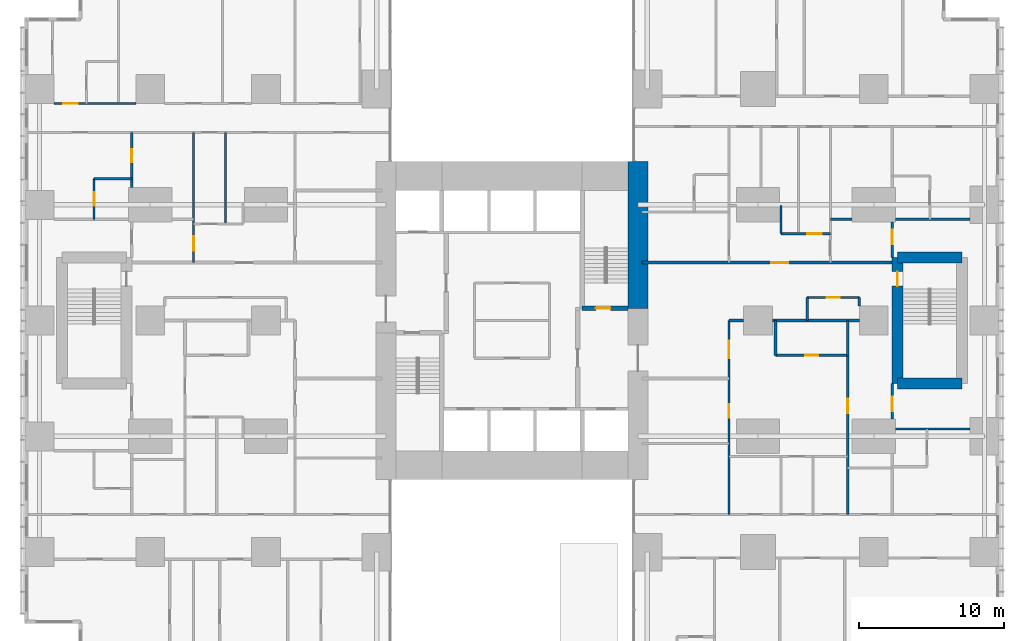
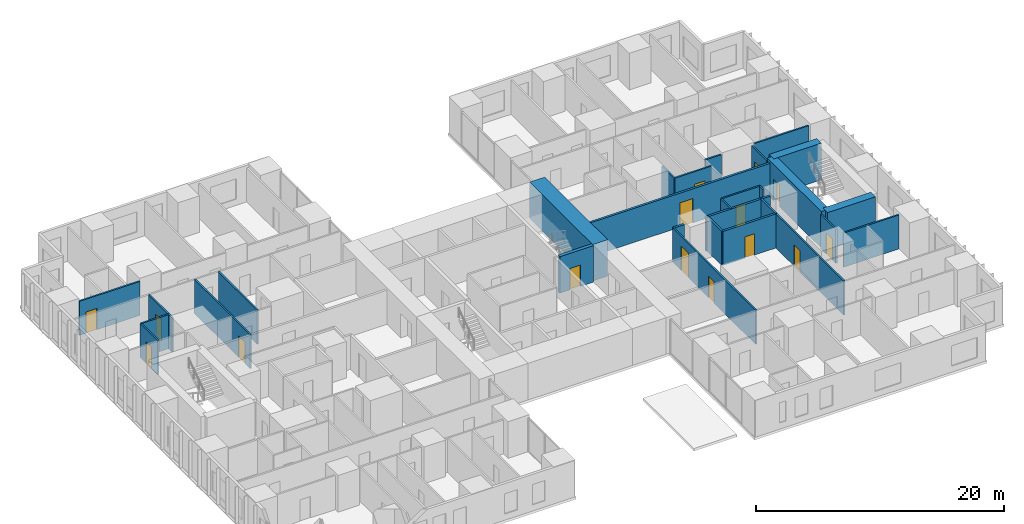
# One storey, part 18 of 22: 29 walls, 15 doors, 15 openings.
"""IFC4 building model written with IfcOpenShell, lengths in metres."""

from ifc_helpers import new_model, si_unit, direction, frame, frame_2d, origin, place, context, subcontext, project, spatial, rectangle, extrude, material, layer, layer_set, type_object, element, fill, save


model = new_model("IFC4")

# Units and contexts
model_context = context("Model", 3, precision=1e-05, world=origin(), true_north=direction((0.0, 1.0)))
body_context = subcontext(model_context, "Body", "Model", "MODEL_VIEW")
ifc_project = project(units=[si_unit("LENGTHUNIT", "METRE"), si_unit("AREAUNIT", "SQUARE_METRE"), si_unit("VOLUMEUNIT", "CUBIC_METRE"), si_unit("PLANEANGLEUNIT", "RADIAN"), si_unit("MASSUNIT", "GRAM", prefix="KILO")], contexts=[model_context])

# Site, building, storey
site_placement = place(None, origin())
site = spatial("IfcSite", under=ifc_project, at=site_placement, CompositionType="ELEMENT")
building_placement = place(site_placement, origin())
building = spatial("IfcBuilding", under=site, at=building_placement, Name="Cleftline Residences", CompositionType="ELEMENT")
storey_placement = place(building_placement, frame((0.0, 0.0, 29.60009765625)))
storey = spatial("IfcBuildingStorey", under=building, at=storey_placement, Name="L06", CompositionType="ELEMENT", Elevation=29.60009765625)

# Wall
ifc_material_1 = material(Name="Concrete B70", Category="concrete")
ifc_layer_1 = layer(ifc_material_1, 1.39990234375)
ifc_layer_set_1 = layer_set([ifc_layer_1], Name="CORE WALL 1400")
wall_type_1 = type_object("IfcWallType", Name="CORE WALL 1400", PredefinedType="SHEAR", material=ifc_layer_set_1)
wall_1_placement = place(storey_placement, frame((41.699951171875, 24.85009765625, 0.0), z_axis=(0.0, 0.0, 1.0), x_axis=(0.0, 1.0, 0.0)))
element("IfcWall", 1, at=wall_1_placement, inside=storey, type_object=wall_type_1, Name="Core wall E1", PredefinedType="SHEAR", context=body_context, shape_type="SweptSolid", body=[
    extrude(rectangle(XDim=10.14990234375, YDim=1.39990234375, at=frame_2d((5.074951171875, 0.0))), origin(), (0.0, 0.0, 1.0), 3.599853515625),
])

# Wall, opening, door
ifc_material_2 = material(Name="Concrete B70", Category="concrete")
ifc_layer_2 = layer(ifc_material_2, 0.300048828125)
ifc_layer_set_2 = layer_set([ifc_layer_2], Name="CORE WALL 300")
wall_type_2 = type_object("IfcWallType", Name="CORE WALL 300", PredefinedType="SHEAR", material=ifc_layer_set_2)
wall_2_placement = place(storey_placement, frame((37.85009765625, 24.85009765625, 0.0), z_axis=(0.0, 0.0, 1.0), x_axis=(1.0, 0.0, 0.0)))
wall_2 = element("IfcWall", 2, at=wall_2_placement, inside=storey, type_object=wall_type_2, Name="Core wall SB-S", PredefinedType="SHEAR", context=body_context, shape_type="SweptSolid", body=[
    extrude(rectangle(XDim=3.14990234375, YDim=0.300048828125, at=frame_2d((1.574951171875, 0.0))), origin(), (0.0, 0.0, 1.0), 3.599853515625),
])
opening_1_placement = place(wall_2_placement, frame((0.949951171875, 0.0, 0.0)))
opening_1 = element("IfcOpeningElement", 3, at=opening_1_placement, cuts=wall_2, Name="Opening D5", PredefinedType="OPENING", context=body_context, shape_type="SweptSolid", body=[
    extrude(rectangle(XDim=1.0, YDim=2.10009765625, at=frame_2d((0.5, 1.050048828125))), frame((0.0, 0.159912109375, 0.0), z_axis=(0.0, -1.0, 0.0), x_axis=(1.0, 0.0, 0.0)), (0.0, 0.0, 1.0), 0.320068359375),
])
ifc_material_3 = material(Name="Steel", Category="steel")
door_type_1 = type_object("IfcDoorType", Name="STAIR DOOR 1000X2100", OperationType="SINGLE_SWING_LEFT", PredefinedType="DOOR", material=ifc_material_3)
door_1_placement = place(opening_1_placement, origin())
door_1 = element("IfcDoor", 4, at=door_1_placement, inside=storey, type_object=door_type_1, Name="Stair B door", OperationType="SINGLE_SWING_RIGHT", OverallHeight=2.10009765625, OverallWidth=1.0, PredefinedType="DOOR", context=body_context, shape_type="SweptSolid", body=[
    extrude(rectangle(XDim=1.0, YDim=2.10009765625, at=frame_2d((0.5, 1.050048828125))), frame((0.0, 0.02490234375, 0.0), z_axis=(0.0, -1.0, 0.0), x_axis=(1.0, 0.0, 0.0)), (0.0, 0.0, 1.0), 0.050048828125),
])
fill(opening_1, door_1)

ifc_material_4 = material(Name="Concrete blockwork, fire rated", Category="masonry")
ifc_layer_3 = layer(ifc_material_4, 0.199951171875)
ifc_layer_set_3 = layer_set([ifc_layer_3], Name="FIRE WALL 200")
wall_type_3 = type_object("IfcWallType", Name="FIRE WALL 200", PredefinedType="PARTITIONING", material=ifc_layer_set_3)
wall_3_placement = place(storey_placement, frame((51.199951171875, 21.60009765625, 0.0), z_axis=(0.0, 0.0, 1.0), x_axis=(1.0, 0.0, 0.0)))
wall_3 = element("IfcWall", 5, at=wall_3_placement, inside=storey, type_object=wall_type_3, Name="Fire separating wall", PredefinedType="PARTITIONING", context=body_context, shape_type="SweptSolid", body=[
    extrude(rectangle(XDim=5.0, YDim=0.199951171875, at=frame_2d((2.5, 0.0))), origin(), (0.0, 0.0, 1.0), 3.349853515625),
])
opening_2_placement = place(wall_3_placement, frame((2.050048828125, 0.0, 0.0)))
opening_2 = element("IfcOpeningElement", 6, at=opening_2_placement, cuts=wall_3, Name="Opening D1F30", PredefinedType="OPENING", context=body_context, shape_type="SweptSolid", body=[
    extrude(rectangle(XDim=0.89990234375, YDim=2.10009765625, at=frame_2d((0.449951171875, 1.050048828125))), frame((0.0, 0.10986328125, 0.0), z_axis=(0.0, -1.0, 0.0), x_axis=(1.0, 0.0, 0.0)), (0.0, 0.0, 1.0), 0.219970703125),
])
ifc_material_5 = material(Name="Timber veneer on solid core", Category="wood")
door_type_2 = type_object("IfcDoorType", Name="DOOR 900X2100 EI 30", OperationType="SINGLE_SWING_LEFT", PredefinedType="DOOR", material=ifc_material_5)
door_2_placement = place(opening_2_placement, origin())
door_2 = element("IfcDoor", 7, at=door_2_placement, inside=storey, type_object=door_type_2, Name="Door to cloakroom wc", OperationType="SINGLE_SWING_LEFT", OverallHeight=2.10009765625, OverallWidth=0.89990234375, PredefinedType="DOOR", context=body_context, shape_type="SweptSolid", body=[
    extrude(rectangle(XDim=0.89990234375, YDim=2.10009765625, at=frame_2d((0.449951171875, 1.050048828125))), frame((0.0, 0.02490234375, 0.0), z_axis=(0.0, -1.0, 0.0), x_axis=(1.0, 0.0, 0.0)), (0.0, 0.0, 1.0), 0.050048828125),
])
fill(opening_2, door_2)

# Walls
wall_4_placement = place(storey_placement, frame((48.0, 24.0, 0.0), z_axis=(0.0, 0.0, 1.0), x_axis=(1.0, 0.0, 0.0)))
element("IfcWall", 8, at=wall_4_placement, inside=storey, type_object=wall_type_3, Name="Fire separating wall", PredefinedType="PARTITIONING", context=body_context, shape_type="SweptSolid", body=[
    extrude(rectangle(XDim=1.0, YDim=0.199951171875, at=frame_2d((0.5, 0.0))), origin(), (0.0, 0.0, 1.0), 3.349853515625),
])
wall_5_placement = place(storey_placement, frame((51.0, 24.0, 0.0), z_axis=(0.0, 0.0, 1.0), x_axis=(1.0, 0.0, 0.0)))
element("IfcWall", 9, at=wall_5_placement, inside=storey, type_object=wall_type_3, Name="Fire separating wall", PredefinedType="PARTITIONING", context=body_context, shape_type="SweptSolid", body=[
    extrude(rectangle(XDim=6.0, YDim=0.199951171875, at=frame_2d((3.0, 0.0))), origin(), (0.0, 0.0, 1.0), 3.349853515625),
])

# Wall, opening, door
wall_6_placement = place(storey_placement, frame((42.0, 28.0, 0.0), z_axis=(0.0, 0.0, 1.0), x_axis=(1.0, 0.0, 0.0)))
wall_6 = element("IfcWall", 10, at=wall_6_placement, inside=storey, type_object=wall_type_3, Name="Fire separating wall", PredefinedType="PARTITIONING", context=body_context, shape_type="SweptSolid", body=[
    extrude(rectangle(XDim=17.27490234375, YDim=0.199951171875, at=frame_2d((8.637451171875, 0.0))), origin(), (0.0, 0.0, 1.0), 3.349853515625),
])
opening_3_placement = place(wall_6_placement, frame((8.89990234375, 0.0, 0.0)))
opening_3 = element("IfcOpeningElement", 11, at=opening_3_placement, cuts=wall_6, Name="Opening D4", PredefinedType="OPENING", context=body_context, shape_type="SweptSolid", body=[
    extrude(rectangle(XDim=1.199951171875, YDim=2.39990234375, at=frame_2d((0.60009765625, 1.199951171875))), frame((0.0, 0.10986328125, 0.0), z_axis=(0.0, -1.0, 0.0), x_axis=(1.0, 0.0, 0.0)), (0.0, 0.0, 1.0), 0.219970703125),
])
ifc_material_6 = material(Name="Timber veneer on solid core", Category="wood")
door_type_3 = type_object("IfcDoorType", Name="APARTMENT ENTRANCE DOOR 1200X2400", OperationType="SINGLE_SWING_RIGHT", PredefinedType="DOOR", material=ifc_material_6)
door_3_placement = place(opening_3_placement, origin())
door_3 = element("IfcDoor", 12, at=door_3_placement, inside=storey, type_object=door_type_3, Name="Door to residence entrance foyer", OperationType="SINGLE_SWING_LEFT", OverallHeight=2.39990234375, OverallWidth=1.199951171875, PredefinedType="DOOR", context=body_context, shape_type="SweptSolid", body=[
    extrude(rectangle(XDim=1.199951171875, YDim=2.39990234375, at=frame_2d((0.60009765625, 1.199951171875))), frame((0.0, 0.02490234375, 0.0), z_axis=(0.0, -1.0, 0.0), x_axis=(1.0, 0.0, 0.0)), (0.0, 0.0, 1.0), 0.050048828125),
])
fill(opening_3, door_3)

# Walls
for number, where, z_axis, x_axis, name in (
    (13, (51.199951171875, 21.60009765625, 0.0), (0.0, 0.0, 1.0), (0.0, 1.0, 0.0), "Fire separating wall"),
    (14, (56.199951171875, 21.60009765625, 0.0), (0.0, 0.0, 1.0), (0.0, 1.0, 0.0), "Fire separating wall"),
):
    element("IfcWall", number, at=place(storey_placement, frame(where, z_axis=z_axis, x_axis=x_axis)), inside=storey, type_object=wall_type_3, Name=name, PredefinedType="PARTITIONING", context=body_context, shape_type="SweptSolid", body=[
        extrude(rectangle(XDim=2.39990234375, YDim=0.199951171875, at=frame_2d((1.199951171875, 0.0))), origin(), (0.0, 0.0, 1.0), 3.349853515625),
    ])
ifc_material_7 = material(Name="Gypsum board on steel studs", Category="steel")
ifc_layer_4 = layer(ifc_material_7, 0.14990234375)
ifc_layer_set_4 = layer_set([ifc_layer_4], Name="PARTITION 150")
wall_type_4 = type_object("IfcWallType", Name="PARTITION 150", PredefinedType="PARTITIONING", material=ifc_layer_set_4)
wall_7_placement = place(storey_placement, frame((59.5, 16.5, 0.0), z_axis=(0.0, 0.0, 1.0), x_axis=(1.0, 0.0, 0.0)))
element("IfcWall", 15, at=wall_7_placement, inside=storey, type_object=wall_type_4, Name="Partition", PredefinedType="PARTITIONING", context=body_context, shape_type="SweptSolid", body=[
    extrude(rectangle(XDim=5.14990234375, YDim=0.14990234375, at=frame_2d((2.574951171875, 0.0))), origin(), (0.0, 0.0, 1.0), 3.349853515625),
])

# Wall, opening, door
wall_8_placement = place(storey_placement, frame((53.39990234375, 25.60009765625, 0.0), z_axis=(0.0, 0.0, 1.0), x_axis=(1.0, 0.0, 0.0)))
wall_8 = element("IfcWall", 16, at=wall_8_placement, inside=storey, type_object=wall_type_4, Name="Partition", PredefinedType="PARTITIONING", context=body_context, shape_type="SweptSolid", body=[
    extrude(rectangle(XDim=3.60009765625, YDim=0.14990234375, at=frame_2d((1.800048828125, 0.0))), origin(), (0.0, 0.0, 1.0), 3.349853515625),
])
opening_4_placement = place(wall_8_placement, frame((1.35009765625, 0.0, 0.0)))
opening_4 = element("IfcOpeningElement", 17, at=opening_4_placement, cuts=wall_8, Name="Opening D1", PredefinedType="OPENING", context=body_context, shape_type="SweptSolid", body=[
    extrude(rectangle(XDim=0.89990234375, YDim=2.10009765625, at=frame_2d((0.449951171875, 1.050048828125))), frame((0.0, 0.0849609375, 0.0), z_axis=(0.0, -1.0, 0.0), x_axis=(1.0, 0.0, 0.0)), (0.0, 0.0, 1.0), 0.169921875),
])
ifc_material_8 = material(Name="Timber veneer on solid core", Category="wood")
door_type_4 = type_object("IfcDoorType", Name="DOOR 900X2100", OperationType="SINGLE_SWING_LEFT", PredefinedType="DOOR", material=ifc_material_8)
door_4_placement = place(opening_4_placement, origin())
door_4 = element("IfcDoor", 18, at=door_4_placement, inside=storey, type_object=door_type_4, Name="Door to residents' storage room", OperationType="SINGLE_SWING_LEFT", OverallHeight=2.10009765625, OverallWidth=0.89990234375, PredefinedType="DOOR", context=body_context, shape_type="SweptSolid", body=[
    extrude(rectangle(XDim=0.89990234375, YDim=2.10009765625, at=frame_2d((0.449951171875, 1.050048828125))), frame((0.0, 0.02490234375, 0.0), z_axis=(0.0, -1.0, 0.0), x_axis=(1.0, 0.0, 0.0)), (0.0, 0.0, 1.0), 0.050048828125),
])
fill(opening_4, door_4)

wall_9_placement = place(storey_placement, frame((51.60009765625, 30.0, 0.0), z_axis=(0.0, 0.0, 1.0), x_axis=(1.0, 0.0, 0.0)))
wall_9 = element("IfcWall", 19, at=wall_9_placement, inside=storey, type_object=wall_type_4, Name="Partition", PredefinedType="PARTITIONING", context=body_context, shape_type="SweptSolid", body=[
    extrude(rectangle(XDim=3.39990234375, YDim=0.14990234375, at=frame_2d((1.699951171875, 0.0))), origin(), (0.0, 0.0, 1.0), 3.349853515625),
])
opening_5_placement = place(wall_9_placement, frame((1.800048828125, 0.0, 0.0)))
opening_5 = element("IfcOpeningElement", 20, at=opening_5_placement, cuts=wall_9, Name="Opening D2", PredefinedType="OPENING", context=body_context, shape_type="SweptSolid", body=[
    extrude(rectangle(XDim=1.0, YDim=2.10009765625, at=frame_2d((0.5, 1.050048828125))), frame((0.0, 0.0849609375, 0.0), z_axis=(0.0, -1.0, 0.0), x_axis=(1.0, 0.0, 0.0)), (0.0, 0.0, 1.0), 0.169921875),
])
ifc_material_9 = material(Name="Timber veneer on solid core", Category="wood")
door_type_5 = type_object("IfcDoorType", Name="DOOR 1000X2100", OperationType="SINGLE_SWING_LEFT", PredefinedType="DOOR", material=ifc_material_9)
door_5_placement = place(opening_5_placement, origin())
door_5 = element("IfcDoor", 21, at=door_5_placement, inside=storey, type_object=door_type_5, Name="Door to residence passage", OperationType="SINGLE_SWING_LEFT", OverallHeight=2.10009765625, OverallWidth=1.0, PredefinedType="DOOR", context=body_context, shape_type="SweptSolid", body=[
    extrude(rectangle(XDim=1.0, YDim=2.10009765625, at=frame_2d((0.5, 1.050048828125))), frame((0.0, 0.02490234375, 0.0), z_axis=(0.0, -1.0, 0.0), x_axis=(1.0, 0.0, 0.0)), (0.0, 0.0, 1.0), 0.050048828125),
])
fill(opening_5, door_5)

# Walls
wall_10_placement = place(storey_placement, frame((55.0, 31.0, 0.0), z_axis=(0.0, 0.0, 1.0), x_axis=(1.0, 0.0, 0.0)))
element("IfcWall", 22, at=wall_10_placement, inside=storey, type_object=wall_type_4, Name="Partition", PredefinedType="PARTITIONING", context=body_context, shape_type="SweptSolid", body=[
    extrude(rectangle(XDim=1.5, YDim=0.14990234375, at=frame_2d((0.75, 0.0))), origin(), (0.0, 0.0, 1.0), 3.349853515625),
])
wall_11_placement = place(storey_placement, frame((59.5, 31.0, 0.0), z_axis=(0.0, 0.0, 1.0), x_axis=(1.0, 0.0, 0.0)))
element("IfcWall", 23, at=wall_11_placement, inside=storey, type_object=wall_type_4, Name="Partition", PredefinedType="PARTITIONING", context=body_context, shape_type="SweptSolid", body=[
    extrude(rectangle(XDim=5.14990234375, YDim=0.14990234375, at=frame_2d((2.574951171875, 0.0))), origin(), (0.0, 0.0, 1.0), 3.349853515625),
])
wall_12_placement = place(storey_placement, frame((4.125, 33.800048828125, 0.0), z_axis=(0.0, 0.0, 1.0), x_axis=(1.0, 0.0, 0.0)))
element("IfcWall", 24, at=wall_12_placement, inside=storey, type_object=wall_type_4, Name="Partition", PredefinedType="PARTITIONING", context=body_context, shape_type="SweptSolid", body=[
    extrude(rectangle(XDim=2.60009765625, YDim=0.14990234375, at=frame_2d((1.300048828125, 0.0))), origin(), (0.0, 0.0, 1.0), 3.349853515625),
])

# Wall, opening, door
wall_13_placement = place(storey_placement, frame((1.35009765625, 39.0, 0.0), z_axis=(0.0, 0.0, 1.0), x_axis=(1.0, 0.0, 0.0)))
wall_13 = element("IfcWall", 25, at=wall_13_placement, inside=storey, type_object=wall_type_4, Name="Partition", PredefinedType="PARTITIONING", context=body_context, shape_type="SweptSolid", body=[
    extrude(rectangle(XDim=5.64990234375, YDim=0.14990234375, at=frame_2d((2.824951171875, 0.0))), origin(), (0.0, 0.0, 1.0), 3.349853515625),
])
opening_6_placement = place(wall_13_placement, frame((0.625, 0.0, 0.0)))
opening_6 = element("IfcOpeningElement", 26, at=opening_6_placement, cuts=wall_13, Name="Opening D2", PredefinedType="OPENING", context=body_context, shape_type="SweptSolid", body=[
    extrude(rectangle(XDim=1.0, YDim=2.10009765625, at=frame_2d((0.5, 1.050048828125))), frame((0.0, 0.0849609375, 0.0), z_axis=(0.0, -1.0, 0.0), x_axis=(1.0, 0.0, 0.0)), (0.0, 0.0, 1.0), 0.169921875),
])
door_6_placement = place(opening_6_placement, origin())
door_6 = element("IfcDoor", 27, at=door_6_placement, inside=storey, type_object=door_type_5, Name="Door to bedroom 2", OperationType="SINGLE_SWING_RIGHT", OverallHeight=2.10009765625, OverallWidth=1.0, PredefinedType="DOOR", context=body_context, shape_type="SweptSolid", body=[
    extrude(rectangle(XDim=1.0, YDim=2.10009765625, at=frame_2d((0.5, 1.050048828125))), frame((0.0, 0.02490234375, 0.0), z_axis=(0.0, -1.0, 0.0), x_axis=(1.0, 0.0, 0.0)), (0.0, 0.0, 1.0), 0.050048828125),
])
fill(opening_6, door_6)

wall_14_placement = place(storey_placement, frame((4.125, 31.0, 0.0), z_axis=(0.0, 0.0, 1.0), x_axis=(0.0, 1.0, 0.0)))
wall_14 = element("IfcWall", 28, at=wall_14_placement, inside=storey, type_object=wall_type_4, Name="Partition", PredefinedType="PARTITIONING", context=body_context, shape_type="SweptSolid", body=[
    extrude(rectangle(XDim=2.800048828125, YDim=0.14990234375, at=frame_2d((1.39990234375, 0.0))), origin(), (0.0, 0.0, 1.0), 3.349853515625),
])
opening_7_placement = place(wall_14_placement, frame((0.949951171875, 0.0, 0.0)))
opening_7 = element("IfcOpeningElement", 29, at=opening_7_placement, cuts=wall_14, Name="Opening D1", PredefinedType="OPENING", context=body_context, shape_type="SweptSolid", body=[
    extrude(rectangle(XDim=0.89990234375, YDim=2.10009765625, at=frame_2d((0.449951171875, 1.050048828125))), frame((0.0, 0.0849609375, 0.0), z_axis=(0.0, -1.0, 0.0), x_axis=(1.0, 0.0, 0.0)), (0.0, 0.0, 1.0), 0.169921875),
])
door_7_placement = place(opening_7_placement, origin())
door_7 = element("IfcDoor", 30, at=door_7_placement, inside=storey, type_object=door_type_4, Name="Door to master bathroom", OperationType="SINGLE_SWING_LEFT", OverallHeight=2.10009765625, OverallWidth=0.89990234375, PredefinedType="DOOR", context=body_context, shape_type="SweptSolid", body=[
    extrude(rectangle(XDim=0.89990234375, YDim=2.10009765625, at=frame_2d((0.449951171875, 1.050048828125))), frame((0.0, 0.02490234375, 0.0), z_axis=(0.0, -1.0, 0.0), x_axis=(1.0, 0.0, 0.0)), (0.0, 0.0, 1.0), 0.050048828125),
])
fill(opening_7, door_7)

wall_15_placement = place(storey_placement, frame((6.72509765625, 33.199951171875, 0.0), z_axis=(0.0, 0.0, 1.0), x_axis=(0.0, 1.0, 0.0)))
wall_15 = element("IfcWall", 31, at=wall_15_placement, inside=storey, type_object=wall_type_4, Name="Partition", PredefinedType="PARTITIONING", context=body_context, shape_type="SweptSolid", body=[
    extrude(rectangle(XDim=3.800048828125, YDim=0.14990234375, at=frame_2d((1.89990234375, 0.0))), origin(), (0.0, 0.0, 1.0), 3.349853515625),
])
opening_8_placement = place(wall_15_placement, frame((1.75, 0.0, 0.0)))
opening_8 = element("IfcOpeningElement", 32, at=opening_8_placement, cuts=wall_15, Name="Opening D1", PredefinedType="OPENING", context=body_context, shape_type="SweptSolid", body=[
    extrude(rectangle(XDim=0.89990234375, YDim=2.10009765625, at=frame_2d((0.449951171875, 1.050048828125))), frame((0.0, 0.0849609375, 0.0), z_axis=(0.0, -1.0, 0.0), x_axis=(1.0, 0.0, 0.0)), (0.0, 0.0, 1.0), 0.169921875),
])
door_8_placement = place(opening_8_placement, origin())
door_8 = element("IfcDoor", 33, at=door_8_placement, inside=storey, type_object=door_type_4, Name="Door to master dressing room", OperationType="SINGLE_SWING_LEFT", OverallHeight=2.10009765625, OverallWidth=0.89990234375, PredefinedType="DOOR", context=body_context, shape_type="SweptSolid", body=[
    extrude(rectangle(XDim=0.89990234375, YDim=2.10009765625, at=frame_2d((0.449951171875, 1.050048828125))), frame((0.0, 0.02490234375, 0.0), z_axis=(0.0, -1.0, 0.0), x_axis=(1.0, 0.0, 0.0)), (0.0, 0.0, 1.0), 0.050048828125),
])
fill(opening_8, door_8)

wall_16_placement = place(storey_placement, frame((11.0, 28.0, 0.0), z_axis=(0.0, 0.0, 1.0), x_axis=(0.0, 1.0, 0.0)))
wall_16 = element("IfcWall", 34, at=wall_16_placement, inside=storey, type_object=wall_type_4, Name="Partition", PredefinedType="PARTITIONING", context=body_context, shape_type="SweptSolid", body=[
    extrude(rectangle(XDim=9.0, YDim=0.14990234375, at=frame_2d((4.5, 0.0))), origin(), (0.0, 0.0, 1.0), 3.349853515625),
])
opening_9_placement = place(wall_16_placement, frame((0.83740234375, 0.0, 0.0)))
opening_9 = element("IfcOpeningElement", 35, at=opening_9_placement, cuts=wall_16, Name="Opening D2F30", PredefinedType="OPENING", context=body_context, shape_type="SweptSolid", body=[
    extrude(rectangle(XDim=1.0, YDim=2.10009765625, at=frame_2d((0.5, 1.050048828125))), frame((0.0, 0.0849609375, 0.0), z_axis=(0.0, -1.0, 0.0), x_axis=(1.0, 0.0, 0.0)), (0.0, 0.0, 1.0), 0.169921875),
])
ifc_material_10 = material(Name="Timber veneer on solid core", Category="wood")
door_type_6 = type_object("IfcDoorType", Name="DOOR 1000X2100 EI 30", OperationType="SINGLE_SWING_LEFT", PredefinedType="DOOR", material=ifc_material_10)
door_9_placement = place(opening_9_placement, origin())
door_9 = element("IfcDoor", 36, at=door_9_placement, inside=storey, type_object=door_type_6, Name="Door to residence lobby", OperationType="SINGLE_SWING_RIGHT", OverallHeight=2.10009765625, OverallWidth=1.0, PredefinedType="DOOR", context=body_context, shape_type="SweptSolid", body=[
    extrude(rectangle(XDim=1.0, YDim=2.10009765625, at=frame_2d((0.5, 1.050048828125))), frame((0.0, 0.02490234375, 0.0), z_axis=(0.0, -1.0, 0.0), x_axis=(1.0, 0.0, 0.0)), (0.0, 0.0, 1.0), 0.050048828125),
])
fill(opening_9, door_9)

# Wall
wall_17_placement = place(storey_placement, frame((13.199951171875, 30.675048828125, 0.0), z_axis=(0.0, 0.0, 1.0), x_axis=(0.0, 1.0, 0.0)))
element("IfcWall", 37, at=wall_17_placement, inside=storey, type_object=wall_type_4, Name="Partition", PredefinedType="PARTITIONING", context=body_context, shape_type="SweptSolid", body=[
    extrude(rectangle(XDim=6.324951171875, YDim=0.14990234375, at=frame_2d((3.16259765625, 0.0))), origin(), (0.0, 0.0, 1.0), 3.349853515625),
])

# Wall, openings, doors
wall_18_placement = place(storey_placement, frame((48.0, 10.60009765625, 0.0), z_axis=(0.0, 0.0, 1.0), x_axis=(0.0, 1.0, 0.0)))
wall_18 = element("IfcWall", 38, at=wall_18_placement, inside=storey, type_object=wall_type_4, Name="Partition", PredefinedType="PARTITIONING", context=body_context, shape_type="SweptSolid", body=[
    extrude(rectangle(XDim=13.39990234375, YDim=0.14990234375, at=frame_2d((6.699951171875, 0.0))), origin(), (0.0, 0.0, 1.0), 3.349853515625),
])
opening_10_placement = place(wall_18_placement, frame((10.800048828125, 0.0, 0.0)))
opening_10 = element("IfcOpeningElement", 39, at=opening_10_placement, cuts=wall_18, Name="Opening D4", PredefinedType="OPENING", context=body_context, shape_type="SweptSolid", body=[
    extrude(rectangle(XDim=1.199951171875, YDim=2.39990234375, at=frame_2d((0.60009765625, 1.199951171875))), frame((0.0, 0.0849609375, 0.0), z_axis=(0.0, -1.0, 0.0), x_axis=(1.0, 0.0, 0.0)), (0.0, 0.0, 1.0), 0.169921875),
])
opening_11_placement = place(wall_18_placement, frame((6.699951171875, 0.0, 0.0)))
opening_11 = element("IfcOpeningElement", 40, at=opening_11_placement, cuts=wall_18, Name="Opening D1F60", PredefinedType="OPENING", context=body_context, shape_type="SweptSolid", body=[
    extrude(rectangle(XDim=0.89990234375, YDim=2.10009765625, at=frame_2d((0.449951171875, 1.050048828125))), frame((0.0, 0.0849609375, 0.0), z_axis=(0.0, -1.0, 0.0), x_axis=(1.0, 0.0, 0.0)), (0.0, 0.0, 1.0), 0.169921875),
])
door_10_placement = place(opening_10_placement, origin())
door_10 = element("IfcDoor", 41, at=door_10_placement, inside=storey, type_object=door_type_3, Name="Door to residence entrance foyer", OperationType="SINGLE_SWING_LEFT", OverallHeight=2.39990234375, OverallWidth=1.199951171875, PredefinedType="DOOR", context=body_context, shape_type="SweptSolid", body=[
    extrude(rectangle(XDim=1.199951171875, YDim=2.39990234375, at=frame_2d((0.60009765625, 1.199951171875))), frame((0.0, 0.02490234375, 0.0), z_axis=(0.0, -1.0, 0.0), x_axis=(1.0, 0.0, 0.0)), (0.0, 0.0, 1.0), 0.050048828125),
])
fill(opening_10, door_10)
ifc_material_11 = material(Name="Timber veneer on solid core", Category="wood")
door_type_7 = type_object("IfcDoorType", Name="DOOR 900X2100 EI 60", OperationType="SINGLE_SWING_LEFT", PredefinedType="DOOR", material=ifc_material_11)
door_11_placement = place(opening_11_placement, origin())
door_11 = element("IfcDoor", 42, at=door_11_placement, inside=storey, type_object=door_type_7, Name="Door to utility room", OperationType="SINGLE_SWING_LEFT", OverallHeight=2.10009765625, OverallWidth=0.89990234375, PredefinedType="DOOR", context=body_context, shape_type="SweptSolid", body=[
    extrude(rectangle(XDim=0.89990234375, YDim=2.10009765625, at=frame_2d((0.449951171875, 1.050048828125))), frame((0.0, 0.02490234375, 0.0), z_axis=(0.0, -1.0, 0.0), x_axis=(1.0, 0.0, 0.0)), (0.0, 0.0, 1.0), 0.050048828125),
])
fill(opening_11, door_11)

# Walls
wall_19_placement = place(storey_placement, frame((51.60009765625, 30.0, 0.0), z_axis=(0.0, 0.0, 1.0), x_axis=(0.0, 1.0, 0.0)))
element("IfcWall", 43, at=wall_19_placement, inside=storey, type_object=wall_type_4, Name="Partition", PredefinedType="PARTITIONING", context=body_context, shape_type="SweptSolid", body=[
    extrude(rectangle(XDim=1.949951171875, YDim=0.14990234375, at=frame_2d((0.97509765625, 0.0))), origin(), (0.0, 0.0, 1.0), 3.349853515625),
])
wall_20_placement = place(storey_placement, frame((53.39990234375, 24.0, 0.0), z_axis=(0.0, 0.0, 1.0), x_axis=(0.0, 1.0, 0.0)))
element("IfcWall", 44, at=wall_20_placement, inside=storey, type_object=wall_type_4, Name="Partition", PredefinedType="PARTITIONING", context=body_context, shape_type="SweptSolid", body=[
    extrude(rectangle(XDim=1.60009765625, YDim=0.14990234375, at=frame_2d((0.800048828125, 0.0))), origin(), (0.0, 0.0, 1.0), 3.349853515625),
])

# Wall, opening, door
wall_21_placement = place(storey_placement, frame((56.199951171875, 10.60009765625, 0.0), z_axis=(0.0, 0.0, 1.0), x_axis=(0.0, 1.0, 0.0)))
wall_21 = element("IfcWall", 45, at=wall_21_placement, inside=storey, type_object=wall_type_4, Name="Partition", PredefinedType="PARTITIONING", context=body_context, shape_type="SweptSolid", body=[
    extrude(rectangle(XDim=11.0, YDim=0.14990234375, at=frame_2d((5.5, 0.0))), origin(), (0.0, 0.0, 1.0), 3.349853515625),
])
opening_12_placement = place(wall_21_placement, frame((7.0, 0.0, 0.0)))
opening_12 = element("IfcOpeningElement", 46, at=opening_12_placement, cuts=wall_21, Name="Opening D2F30", PredefinedType="OPENING", context=body_context, shape_type="SweptSolid", body=[
    extrude(rectangle(XDim=1.0, YDim=2.10009765625, at=frame_2d((0.5, 1.050048828125))), frame((0.0, 0.0849609375, 0.0), z_axis=(0.0, -1.0, 0.0), x_axis=(1.0, 0.0, 0.0)), (0.0, 0.0, 1.0), 0.169921875),
])
door_12_placement = place(opening_12_placement, origin())
door_12 = element("IfcDoor", 47, at=door_12_placement, inside=storey, type_object=door_type_6, Name="Door to residence lobby", OperationType="SINGLE_SWING_LEFT", OverallHeight=2.10009765625, OverallWidth=1.0, PredefinedType="DOOR", context=body_context, shape_type="SweptSolid", body=[
    extrude(rectangle(XDim=1.0, YDim=2.10009765625, at=frame_2d((0.5, 1.050048828125))), frame((0.0, 0.02490234375, 0.0), z_axis=(0.0, -1.0, 0.0), x_axis=(1.0, 0.0, 0.0)), (0.0, 0.0, 1.0), 0.050048828125),
])
fill(opening_12, door_12)

# Wall
wall_22_placement = place(storey_placement, frame((57.0, 25.0, 0.0), z_axis=(0.0, 0.0, 1.0), x_axis=(0.0, 1.0, 0.0)))
element("IfcWall", 48, at=wall_22_placement, inside=storey, type_object=wall_type_4, Name="Partition", PredefinedType="PARTITIONING", context=body_context, shape_type="SweptSolid", body=[
    extrude(rectangle(XDim=0.60009765625, YDim=0.14990234375, at=frame_2d((0.300048828125, 0.0))), origin(), (0.0, 0.0, 1.0), 3.349853515625),
])

# Wall, opening, door
wall_23_placement = place(storey_placement, frame((59.27490234375, 17.199951171875, 0.0), z_axis=(0.0, 0.0, 1.0), x_axis=(0.0, 1.0, 0.0)))
wall_23 = element("IfcWall", 49, at=wall_23_placement, inside=storey, type_object=wall_type_4, Name="Partition", PredefinedType="PARTITIONING", context=body_context, shape_type="SweptSolid", body=[
    extrude(rectangle(XDim=2.449951171875, YDim=0.14990234375, at=frame_2d((1.22509765625, 0.0))), origin(), (0.0, 0.0, 1.0), 3.349853515625),
])
opening_13_placement = place(wall_23_placement, frame((0.53759765625, 0.0, 0.0)))
opening_13 = element("IfcOpeningElement", 50, at=opening_13_placement, cuts=wall_23, Name="Opening D2", PredefinedType="OPENING", context=body_context, shape_type="SweptSolid", body=[
    extrude(rectangle(XDim=1.0, YDim=2.10009765625, at=frame_2d((0.5, 1.050048828125))), frame((0.0, 0.0849609375, 0.0), z_axis=(0.0, -1.0, 0.0), x_axis=(1.0, 0.0, 0.0)), (0.0, 0.0, 1.0), 0.169921875),
])
door_13_placement = place(opening_13_placement, origin())
door_13 = element("IfcDoor", 51, at=door_13_placement, inside=storey, type_object=door_type_5, Name="Door to bedroom 2", OperationType="SINGLE_SWING_RIGHT", OverallHeight=2.10009765625, OverallWidth=1.0, PredefinedType="DOOR", context=body_context, shape_type="SweptSolid", body=[
    extrude(rectangle(XDim=1.0, YDim=2.10009765625, at=frame_2d((0.5, 1.050048828125))), frame((0.0, 0.02490234375, 0.0), z_axis=(0.0, -1.0, 0.0), x_axis=(1.0, 0.0, 0.0)), (0.0, 0.0, 1.0), 0.050048828125),
])
fill(opening_13, door_13)

wall_24_placement = place(storey_placement, frame((59.27490234375, 28.35009765625, 0.0), z_axis=(0.0, 0.0, 1.0), x_axis=(0.0, 1.0, 0.0)))
wall_24 = element("IfcWall", 52, at=wall_24_placement, inside=storey, type_object=wall_type_4, Name="Partition", PredefinedType="PARTITIONING", context=body_context, shape_type="SweptSolid", body=[
    extrude(rectangle(XDim=2.449951171875, YDim=0.14990234375, at=frame_2d((1.22509765625, 0.0))), origin(), (0.0, 0.0, 1.0), 3.349853515625),
])
opening_14_placement = place(wall_24_placement, frame((0.91259765625, 0.0, 0.0)))
opening_14 = element("IfcOpeningElement", 53, at=opening_14_placement, cuts=wall_24, Name="Opening D2", PredefinedType="OPENING", context=body_context, shape_type="SweptSolid", body=[
    extrude(rectangle(XDim=1.0, YDim=2.10009765625, at=frame_2d((0.5, 1.050048828125))), frame((0.0, 0.0849609375, 0.0), z_axis=(0.0, -1.0, 0.0), x_axis=(1.0, 0.0, 0.0)), (0.0, 0.0, 1.0), 0.169921875),
])
door_14_placement = place(opening_14_placement, origin())
door_14 = element("IfcDoor", 54, at=door_14_placement, inside=storey, type_object=door_type_5, Name="Door to altar room", OperationType="SINGLE_SWING_LEFT", OverallHeight=2.10009765625, OverallWidth=1.0, PredefinedType="DOOR", context=body_context, shape_type="SweptSolid", body=[
    extrude(rectangle(XDim=1.0, YDim=2.10009765625, at=frame_2d((0.5, 1.050048828125))), frame((0.0, 0.02490234375, 0.0), z_axis=(0.0, -1.0, 0.0), x_axis=(1.0, 0.0, 0.0)), (0.0, 0.0, 1.0), 0.050048828125),
])
fill(opening_14, door_14)

# Walls
ifc_material_12 = material(Name="Concrete B70", Category="concrete")
ifc_layer_5 = layer(ifc_material_12, 0.75)
ifc_layer_set_5 = layer_set([ifc_layer_5], Name="SHEAR WALL 750")
wall_type_5 = type_object("IfcWallType", Name="SHEAR WALL 750", PredefinedType="SHEAR", material=ifc_layer_set_5)
for number, where, z_axis, x_axis, name in (
    (55, (59.64990234375, 19.64990234375, 0.0), (0.0, 0.0, 1.0), (1.0, 0.0, 0.0), "Wing shear wall"),
    (56, (64.10009765625, 28.35009765625, 0.0), (0.0, 0.0, 1.0), (-1.0, 0.0, 0.0), "Wing shear wall"),
):
    element("IfcWall", number, at=place(storey_placement, frame(where, z_axis=z_axis, x_axis=x_axis)), inside=storey, type_object=wall_type_5, Name=name, PredefinedType="SHEAR", context=body_context, shape_type="SweptSolid", body=[
        extrude(rectangle(XDim=4.4501953125, YDim=0.75, at=frame_2d((2.22509765625, 0.0))), origin(), (0.0, 0.0, 1.0), 3.599853515625),
    ])

# Wall, opening, door
wall_25_placement = place(storey_placement, frame((59.64990234375, 28.35009765625, 0.0), z_axis=(0.0, 0.0, 1.0), x_axis=(0.0, -1.0, 0.0)))
wall_25 = element("IfcWall", 57, at=wall_25_placement, inside=storey, type_object=wall_type_5, Name="Wing shear wall", PredefinedType="SHEAR", context=body_context, shape_type="SweptSolid", body=[
    extrude(rectangle(XDim=8.7001953125, YDim=0.75, at=frame_2d((4.35009765625, 0.0))), origin(), (0.0, 0.0, 1.0), 3.599853515625),
])
opening_15_placement = place(wall_25_placement, frame((0.97509765625, 0.0, 0.0)))
opening_15 = element("IfcOpeningElement", 58, at=opening_15_placement, cuts=wall_25, Name="Opening D5", PredefinedType="OPENING", context=body_context, shape_type="SweptSolid", body=[
    extrude(rectangle(XDim=1.0, YDim=2.10009765625, at=frame_2d((0.5, 1.050048828125))), frame((0.0, 0.385009765625, 0.0), z_axis=(0.0, -1.0, 0.0), x_axis=(1.0, 0.0, 0.0)), (0.0, 0.0, 1.0), 0.77001953125),
])
door_15_placement = place(opening_15_placement, origin())
door_15 = element("IfcDoor", 59, at=door_15_placement, inside=storey, type_object=door_type_1, Name="Stair E door", OperationType="SINGLE_SWING_RIGHT", OverallHeight=2.10009765625, OverallWidth=1.0, PredefinedType="DOOR", context=body_context, shape_type="SweptSolid", body=[
    extrude(rectangle(XDim=1.0, YDim=2.10009765625, at=frame_2d((0.5, 1.050048828125))), frame((0.0, 0.02490234375, 0.0), z_axis=(0.0, -1.0, 0.0), x_axis=(1.0, 0.0, 0.0)), (0.0, 0.0, 1.0), 0.050048828125),
])
fill(opening_15, door_15)

save(model, "model.ifc")
